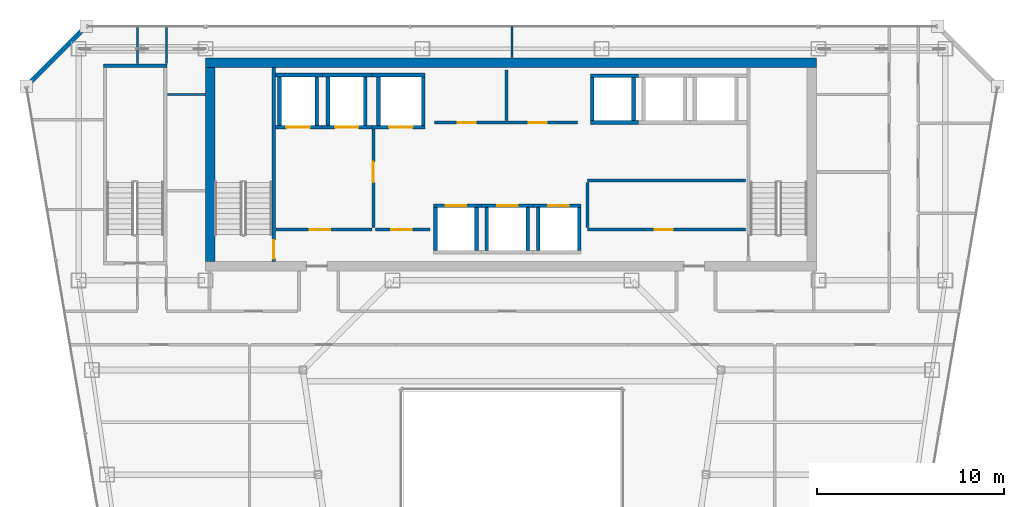
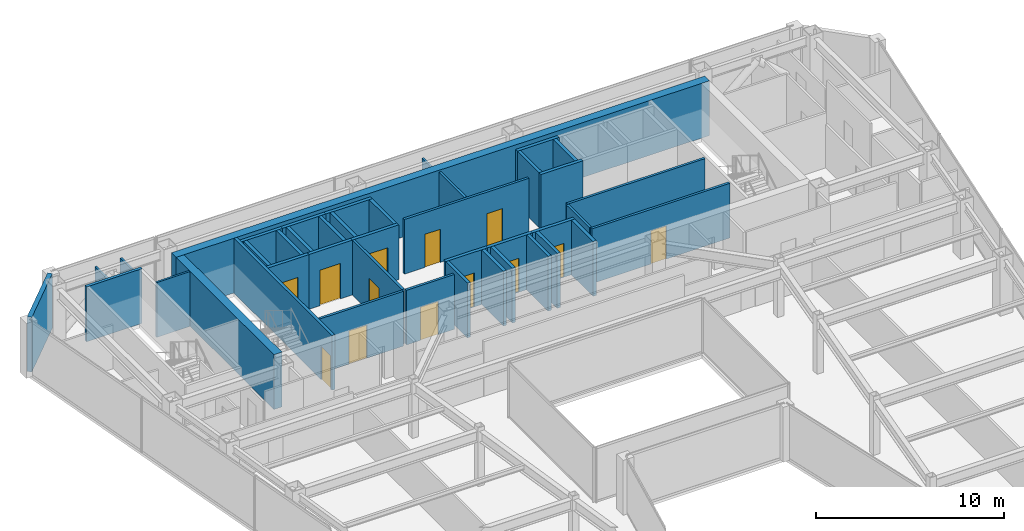
# One storey, part 31 of 35: 42 walls, 13 doors, 13 openings.
"""IFC4 building model written with IfcOpenShell, lengths in metres."""

import ifcopenshell
import ifcopenshell.guid

model = None  # the IFC model being written
_history = None  # IfcOwnerHistory: only IFC2X3 demands one
_inside = {}  # id of a spatial element -> (the spatial element, [elements in it])
_under = {}  # id of a project, library or spatial element -> (it, [spatial elements below it])
_declared = {}  # id of a project -> (the project, [libraries it declares])
_typed = {}  # id of a type object -> (the type object, [elements of that type])
_made_of = {}  # id of a material, layer set ... -> (it, [elements and type objects made of it])


def new_model(schema):
    """Start an empty IFC model of exactly this schema.

    Asked for "IFC4X3", IfcOpenShell would pick the latest addendum, in which some entities
    have other attributes; the version numbers below select the first issue.
    IFC2X3 requires an IfcOwnerHistory on every rooted entity: one is made here for all.
    """
    global model, _history
    if schema == "IFC4X3":
        model = ifcopenshell.file(schema_version=(4, 3, 0, 0))
    else:
        model = ifcopenshell.file(schema=schema)
    _inside.clear()
    _under.clear()
    _declared.clear()
    _typed.clear()
    _made_of.clear()
    _history = None
    if model.schema == "IFC2X3":
        org = make("IfcOrganization", Name="unknown")
        user = make(
            "IfcPersonAndOrganization",
            ThePerson=make("IfcPerson", FamilyName="unknown"),
            TheOrganization=org,
        )
        app = make(
            "IfcApplication",
            ApplicationDeveloper=org,
            Version="unknown",
            ApplicationFullName="unknown",
            ApplicationIdentifier="unknown",
        )
        _history = make(
            "IfcOwnerHistory",
            OwningUser=user,
            OwningApplication=app,
            ChangeAction="ADDED",
            CreationDate=0,
        )
    return model


def make(cls, **values):
    """One entity of the class cls with the attributes given. An attribute that is None is left unset."""
    return model.create_entity(
        cls, **{name: value for name, value in values.items() if value is not None}
    )


def rooted(cls, **values):
    """An entity with a GlobalId (a new one), such as an element, a storey or a relation."""
    return make(cls, GlobalId=ifcopenshell.guid.new(), OwnerHistory=_history, **values)


def si_unit(unit_type, name, prefix=None):
    """IfcSIUnit, for example si_unit("LENGTHUNIT", "METRE", prefix="MILLI")."""
    return make("IfcSIUnit", UnitType=unit_type, Prefix=prefix, Name=name)


def assignment(units):
    """IfcUnitAssignment: the units of a project."""
    return None if units is None else make("IfcUnitAssignment", Units=units)


def point(xyz):
    """IfcCartesianPoint."""
    return None if xyz is None else make("IfcCartesianPoint", Coordinates=xyz)


def direction(xyz):
    """IfcDirection."""
    return None if xyz is None else make("IfcDirection", DirectionRatios=xyz)


def frame(location, z_axis=None, x_axis=None):
    """IfcAxis2Placement3D, a coordinate frame: its origin and axes. An axis left out is left unset."""
    return make(
        "IfcAxis2Placement3D",
        Location=point(location),
        Axis=direction(z_axis),
        RefDirection=direction(x_axis),
    )


def frame_2d(location, x_axis=None):
    """IfcAxis2Placement2D, a coordinate frame in the plane: its origin and x axis."""
    return make(
        "IfcAxis2Placement2D", Location=point(location), RefDirection=direction(x_axis)
    )


def origin():
    """The frame at (0, 0, 0) with its axes left unset."""
    return frame((0.0, 0.0, 0.0))


def place(relative_to, where):
    """IfcLocalPlacement: puts the frame where relative to a parent placement (None: the world)."""
    return make(
        "IfcLocalPlacement", PlacementRelTo=relative_to, RelativePlacement=where
    )


def context(
    kind, dimensions, precision=None, world=None, true_north=None, identifier=None
):
    """IfcGeometricRepresentationContext, for example the 3D "Model" context."""
    return make(
        "IfcGeometricRepresentationContext",
        ContextIdentifier=identifier,
        ContextType=kind,
        CoordinateSpaceDimension=dimensions,
        Precision=precision,
        WorldCoordinateSystem=world,
        TrueNorth=true_north,
    )


def subcontext(parent, identifier, kind, view, scale=None):
    """IfcGeometricRepresentationSubContext, for example "Body" below "Model"."""
    return make(
        "IfcGeometricRepresentationSubContext",
        ContextIdentifier=identifier,
        ContextType=kind,
        ParentContext=parent,
        TargetScale=scale,
        TargetView=view,
    )


def project(units=None, contexts=None):
    """IfcProject with its units and contexts."""
    return rooted(
        "IfcProject",
        Name="project",
        RepresentationContexts=contexts,
        UnitsInContext=assignment(units),
    )


def spatial(cls, under=None, at=None, **own):
    """A site, building, storey or space (cls), placed at a placement, below another one or the project."""
    s = rooted(cls, ObjectPlacement=at, **own)
    if under is not None:
        _under.setdefault(under.id(), (under, []))[1].append(s)
    return s


def profile(cls, at=None, kind="AREA", **sizes):
    """A parametric profile (cls). Its sizes go by their IFC names, for example OverallWidth=200.0."""
    return make(cls, ProfileType=kind, Position=at, **sizes)


def rectangle(**sizes):
    """IfcRectangleProfileDef."""
    return profile("IfcRectangleProfileDef", **sizes)


def extrude(swept, where, along, depth):
    """IfcExtrudedAreaSolid: the profile swept, set in the frame where, extruded along a direction by depth."""
    return make(
        "IfcExtrudedAreaSolid",
        SweptArea=swept,
        Position=where,
        ExtrudedDirection=direction(along),
        Depth=depth,
    )


def shape(context_of_items, identifier, shape_type, items):
    """IfcShapeRepresentation: the items that make up one representation, for example the "Body"."""
    return make(
        "IfcShapeRepresentation",
        ContextOfItems=context_of_items,
        RepresentationIdentifier=identifier,
        RepresentationType=shape_type,
        Items=items,
    )


def material(Name=None, Category=None):
    """IfcMaterial."""
    return make("IfcMaterial", Name=Name, Category=Category)


def layer(
    of_material, thickness, ventilated=None, Name=None, Category=None, Priority=None
):
    """IfcMaterialLayer: one layer of a wall or slab, of a material (None: an air gap)."""
    return make(
        "IfcMaterialLayer",
        Material=of_material,
        LayerThickness=thickness,
        IsVentilated=ventilated,
        Name=Name,
        Category=Category,
        Priority=Priority,
    )


def layer_set(layers, Name=None):
    """IfcMaterialLayerSet."""
    return make("IfcMaterialLayerSet", MaterialLayers=layers, LayerSetName=Name)


def made_of(thing, what):
    """Note that an element or type object is made of a material, layer set ...; save() writes the relation."""
    if what is not None:
        _made_of.setdefault(what.id(), (what, []))[1].append(thing)
    return thing


def type_object(cls, material=None, **own):
    """A type object (cls), such as IfcWallType, which elements share."""
    return made_of(rooted(cls, **own), material)


def element(
    cls,
    number,
    at=None,
    inside=None,
    cuts=None,
    type_object=None,
    material=None,
    context=None,
    identifier="Body",
    shape_type=None,
    held_by="IfcProductDefinitionShape",
    body=None,
    shapes=None,
    **own,
):
    """One element of the class cls, such as IfcWall. Its Tag is "e" and its number.

    at: its placement. inside: the storey or other place that contains it. cuts: it is an
    opening in that element (IfcRelVoidsElement). A single representation is given by context,
    identifier, shape_type and body (its items); several are given by shapes. held_by: the class
    of the entity that holds the representations. save() writes the other relations.
    """
    e = rooted(cls, Tag="e%d" % number, ObjectPlacement=at, **own)
    if body is not None:
        shapes = [shape(context, identifier, shape_type, body)]
    if shapes is not None:
        e.Representation = make(held_by, Representations=shapes)
    if inside is not None:
        _inside.setdefault(inside.id(), (inside, []))[1].append(e)
    if cuts is not None:
        rooted(
            "IfcRelVoidsElement", RelatingBuildingElement=cuts, RelatedOpeningElement=e
        )
    if type_object is not None:
        _typed.setdefault(type_object.id(), (type_object, []))[1].append(e)
    return made_of(e, material)


def fill(opening, filler):
    """IfcRelFillsElement: the door or window that sits in an opening."""
    return rooted(
        "IfcRelFillsElement",
        RelatingOpeningElement=opening,
        RelatedBuildingElement=filler,
    )


def aggregate(whole, parts):
    """IfcRelAggregates: a whole, such as a stair, and the parts it consists of."""
    return rooted("IfcRelAggregates", RelatingObject=whole, RelatedObjects=parts)


def save(model, path):
    """Write the relations noted so far, then the file.

    IfcRelAggregates (storeys below a building ...), IfcRelContainedInSpatialStructure (elements
    in a storey), IfcRelDefinesByType, IfcRelAssociatesMaterial and IfcRelDeclares: one each for
    every whole, place, type object, material and project.
    """
    for whole, parts in _under.values():
        aggregate(whole, parts)
    for where, things in _inside.values():
        rooted(
            "IfcRelContainedInSpatialStructure",
            RelatedElements=things,
            RelatingStructure=where,
        )
    for kind, things in _typed.values():
        rooted("IfcRelDefinesByType", RelatedObjects=things, RelatingType=kind)
    for what, things in _made_of.values():
        rooted("IfcRelAssociatesMaterial", RelatedObjects=things, RelatingMaterial=what)
    for by, libraries in _declared.values():
        rooted("IfcRelDeclares", RelatingContext=by, RelatedDefinitions=libraries)
    model.write(path)


model = new_model("IFC4")

# Units and contexts
model_context = context("Model", 3, precision=1e-05, world=origin(), true_north=direction((0.0, 1.0)))
body_context = subcontext(model_context, "Body", "Model", "MODEL_VIEW")
ifc_project = project(units=[si_unit("LENGTHUNIT", "METRE"), si_unit("AREAUNIT", "SQUARE_METRE"), si_unit("VOLUMEUNIT", "CUBIC_METRE"), si_unit("PLANEANGLEUNIT", "RADIAN"), si_unit("MASSUNIT", "GRAM", prefix="KILO")], contexts=[model_context])

# Site, building, storey
site_placement = place(None, origin())
site = spatial("IfcSite", under=ifc_project, at=site_placement, CompositionType="ELEMENT")
building_placement = place(site_placement, origin())
building = spatial("IfcBuilding", under=site, at=building_placement, Name="Saevonmaru Cultural Tower", CompositionType="ELEMENT")
storey_placement = place(building_placement, frame((0.0, 0.0, 213.199951171875)))
storey = spatial("IfcBuildingStorey", under=building, at=storey_placement, Name="L49", CompositionType="ELEMENT", Elevation=213.199951171875)

# Walls
ifc_material_1 = material(Name="Concrete C60/75", Category="concrete")
ifc_layer_1 = layer(ifc_material_1, 0.5, Name="Concrete C60/75")
ifc_layer_set_1 = layer_set([ifc_layer_1], Name="Concrete C60/75")
wall_type_1 = type_object("IfcWallType", Name="WL-CORE-500", PredefinedType="SHEAR", material=ifc_layer_set_1)
wall_1_placement = place(storey_placement, frame((13.60009765625, 54.050048828125, 0.0), z_axis=(0.0, 0.0, 1.0), x_axis=(1.0, 0.0, 0.0)))
element("IfcWall", 1, at=wall_1_placement, inside=storey, type_object=wall_type_1, Name="L49 Tower RC core shear wall N", PredefinedType="SHEAR", context=body_context, shape_type="SweptSolid", body=[
    extrude(rectangle(XDim=32.699951171875, YDim=0.5, at=frame_2d((16.35009765625, 0.0))), origin(), (0.0, 0.0, 1.0), 3.550048828125),
])
wall_2_placement = place(storey_placement, frame((13.85009765625, 43.39990234375, 0.0), z_axis=(0.0, 0.0, 1.0), x_axis=(0.0, 1.0, 0.0)))
element("IfcWall", 2, at=wall_2_placement, inside=storey, type_object=wall_type_1, Name="L49 Tower RC core shear wall W", PredefinedType="SHEAR", context=body_context, shape_type="SweptSolid", body=[
    extrude(rectangle(XDim=10.400146484375, YDim=0.5, at=frame_2d((5.2001953125, 0.0))), origin(), (0.0, 0.0, 1.0), 3.550048828125),
])

# Wall, opening, door
ifc_material_2 = material(Name="Gypsum Fireboard Partition", Category="gypsum")
ifc_layer_2 = layer(ifc_material_2, 0.14990234375, Name="Gypsum Fireboard Partition")
ifc_layer_set_2 = layer_set([ifc_layer_2], Name="Gypsum Fireboard Partition")
wall_type_2 = type_object("IfcWallType", Name="WL-CORE-PART-150", PredefinedType="PARTITIONING", material=ifc_layer_set_2)
wall_3_placement = place(storey_placement, frame((17.360107421875, 45.1201171875, 0.0), z_axis=(0.0, 0.0, 1.0), x_axis=(1.0, 0.0, 0.0)))
wall_3 = element("IfcWall", 3, at=wall_3_placement, inside=storey, type_object=wall_type_2, Name="L49 Firefighting Lift Lobby South Wall", PredefinedType="PARTITIONING", context=body_context, shape_type="SweptSolid", body=[
    extrude(rectangle(XDim=5.139892578125, YDim=0.14990234375, at=frame_2d((2.56982421875, 0.0))), origin(), (0.0, 0.0, 1.0), 3.550048828125),
])
opening_1_placement = place(wall_3_placement, frame((1.800048828125, 0.0, 0.0)))
opening_1 = element("IfcOpeningElement", 4, at=opening_1_placement, cuts=wall_3, Name="Opening FD-2", PredefinedType="OPENING", context=body_context, shape_type="SweptSolid", body=[
    extrude(rectangle(XDim=1.10009765625, YDim=2.14990234375, at=frame_2d((0.550048828125, 1.074951171875))), frame((0.0, 0.0849609375, 0.0), z_axis=(0.0, -1.0, 0.0), x_axis=(1.0, 0.0, 0.0)), (0.0, 0.0, 1.0), 0.169921875),
])
ifc_material_3 = material(Name="Satin Bronze Anodised Aluminium", Category="aluminium")
door_type_1 = type_object("IfcDoorType", Name="DR-FD60-1100", OperationType="SINGLE_SWING_LEFT", PredefinedType="DOOR", material=ifc_material_3)
door_1_placement = place(opening_1_placement, origin())
door_1 = element("IfcDoor", 5, at=door_1_placement, inside=storey, type_object=door_type_1, Name="L49 Firefighting Lift Lobby South Door", OperationType="SINGLE_SWING_LEFT", OverallHeight=2.14990234375, OverallWidth=1.10009765625, PredefinedType="DOOR", context=body_context, shape_type="SweptSolid", body=[
    extrude(rectangle(XDim=1.10009765625, YDim=2.14990234375, at=frame_2d((0.550048828125, 1.074951171875))), frame((0.0, 0.02490234375, 0.0), z_axis=(0.0, -1.0, 0.0), x_axis=(1.0, 0.0, 0.0)), (0.0, 0.0, 1.0), 0.050048828125),
])
fill(opening_1, door_1)

wall_4_placement = place(storey_placement, frame((22.580078125, 50.550048828125, 0.0), z_axis=(0.0, 0.0, 1.0), x_axis=(0.0, -1.0, 0.0)))
wall_4 = element("IfcWall", 6, at=wall_4_placement, inside=storey, type_object=wall_type_2, Name="L49 Firefighting Lift Lobby East Wall", PredefinedType="PARTITIONING", context=body_context, shape_type="SweptSolid", body=[
    extrude(rectangle(XDim=5.330078125, YDim=0.14990234375, at=frame_2d((2.6650390625, 0.0))), origin(), (0.0, 0.0, 1.0), 3.550048828125),
])
opening_2_placement = place(wall_4_placement, frame((1.800048828125, 0.0, 0.0)))
opening_2 = element("IfcOpeningElement", 7, at=opening_2_placement, cuts=wall_4, Name="Opening FD-2", PredefinedType="OPENING", context=body_context, shape_type="SweptSolid", body=[
    extrude(rectangle(XDim=1.10009765625, YDim=2.14990234375, at=frame_2d((0.550048828125, 1.074951171875))), frame((0.0, 0.0849609375, 0.0), z_axis=(0.0, -1.0, 0.0), x_axis=(1.0, 0.0, 0.0)), (0.0, 0.0, 1.0), 0.169921875),
])
door_2_placement = place(opening_2_placement, origin())
door_2 = element("IfcDoor", 8, at=door_2_placement, inside=storey, type_object=door_type_1, Name="L49 Firefighting Lift Lobby East Door", OperationType="SINGLE_SWING_LEFT", OverallHeight=2.14990234375, OverallWidth=1.10009765625, PredefinedType="DOOR", context=body_context, shape_type="SweptSolid", body=[
    extrude(rectangle(XDim=1.10009765625, YDim=2.14990234375, at=frame_2d((0.550048828125, 1.074951171875))), frame((0.0, 0.02490234375, 0.0), z_axis=(0.0, -1.0, 0.0), x_axis=(1.0, 0.0, 0.0)), (0.0, 0.0, 1.0), 0.050048828125),
])
fill(opening_2, door_2)

wall_5_placement = place(storey_placement, frame((22.679931640625, 45.1201171875, 0.0), z_axis=(0.0, 0.0, 1.0), x_axis=(1.0, 0.0, 0.0)))
wall_5 = element("IfcWall", 9, at=wall_5_placement, inside=storey, type_object=wall_type_2, Name="L49 Service Lift Vestibule Wall", PredefinedType="PARTITIONING", context=body_context, shape_type="SweptSolid", body=[
    extrude(rectangle(XDim=2.920166015625, YDim=0.14990234375, at=frame_2d((1.4599609375, 0.0))), origin(), (0.0, 0.0, 1.0), 3.550048828125),
])
opening_3_placement = place(wall_5_placement, frame((0.85009765625, 0.0, 0.0)))
opening_3 = element("IfcOpeningElement", 10, at=opening_3_placement, cuts=wall_5, Name="Opening FD-2", PredefinedType="OPENING", context=body_context, shape_type="SweptSolid", body=[
    extrude(rectangle(XDim=1.10009765625, YDim=2.14990234375, at=frame_2d((0.550048828125, 1.074951171875))), frame((0.0, 0.0849609375, 0.0), z_axis=(0.0, -1.0, 0.0), x_axis=(1.0, 0.0, 0.0)), (0.0, 0.0, 1.0), 0.169921875),
])
door_3_placement = place(opening_3_placement, origin())
door_3 = element("IfcDoor", 11, at=door_3_placement, inside=storey, type_object=door_type_1, Name="L49 Service Lift Vestibule Door", OperationType="SINGLE_SWING_LEFT", OverallHeight=2.14990234375, OverallWidth=1.10009765625, PredefinedType="DOOR", context=body_context, shape_type="SweptSolid", body=[
    extrude(rectangle(XDim=1.10009765625, YDim=2.14990234375, at=frame_2d((0.550048828125, 1.074951171875))), frame((0.0, 0.02490234375, 0.0), z_axis=(0.0, -1.0, 0.0), x_axis=(1.0, 0.0, 0.0)), (0.0, 0.0, 1.0), 0.050048828125),
])
fill(opening_3, door_3)

wall_6_placement = place(storey_placement, frame((34.050048828125, 45.1201171875, 0.0), z_axis=(0.0, 0.0, 1.0), x_axis=(1.0, 0.0, 0.0)))
wall_6 = element("IfcWall", 12, at=wall_6_placement, inside=storey, type_object=wall_type_2, Name="L49 Core Service South Wall", PredefinedType="PARTITIONING", context=body_context, shape_type="SweptSolid", body=[
    extrude(rectangle(XDim=8.449951171875, YDim=0.14990234375, at=frame_2d((4.22509765625, 0.0))), origin(), (0.0, 0.0, 1.0), 3.550048828125),
])
opening_4_placement = place(wall_6_placement, frame((3.60009765625, 0.0, 0.0)))
opening_4 = element("IfcOpeningElement", 13, at=opening_4_placement, cuts=wall_6, Name="Opening FD-4", PredefinedType="OPENING", context=body_context, shape_type="SweptSolid", body=[
    extrude(rectangle(XDim=0.949951171875, YDim=2.14990234375, at=frame_2d((0.47509765625, 1.074951171875))), frame((0.0, 0.0849609375, 0.0), z_axis=(0.0, -1.0, 0.0), x_axis=(1.0, 0.0, 0.0)), (0.0, 0.0, 1.0), 0.169921875),
])
door_type_2 = type_object("IfcDoorType", Name="DR-FD60-950", OperationType="SINGLE_SWING_LEFT", PredefinedType="DOOR", material=ifc_material_3)
door_4_placement = place(opening_4_placement, origin())
door_4 = element("IfcDoor", 14, at=door_4_placement, inside=storey, type_object=door_type_2, Name="L49 Telecom Riser Plant Door", OperationType="SINGLE_SWING_LEFT", OverallHeight=2.14990234375, OverallWidth=0.949951171875, PredefinedType="DOOR", context=body_context, shape_type="SweptSolid", body=[
    extrude(rectangle(XDim=0.949951171875, YDim=2.14990234375, at=frame_2d((0.47509765625, 1.074951171875))), frame((0.0, 0.02490234375, 0.0), z_axis=(0.0, -1.0, 0.0), x_axis=(1.0, 0.0, 0.0)), (0.0, 0.0, 1.0), 0.050048828125),
])
fill(opening_4, door_4)

# Walls
wall_7_placement = place(storey_placement, frame((34.050048828125, 47.75, 0.0), z_axis=(0.0, 0.0, 1.0), x_axis=(1.0, 0.0, 0.0)))
element("IfcWall", 15, at=wall_7_placement, inside=storey, type_object=wall_type_2, Name="L49 Core Service North Wall", PredefinedType="PARTITIONING", context=body_context, shape_type="SweptSolid", body=[
    extrude(rectangle(XDim=8.449951171875, YDim=0.14990234375, at=frame_2d((4.22509765625, 0.0))), origin(), (0.0, 0.0, 1.0), 3.550048828125),
])
wall_8_placement = place(storey_placement, frame((34.050048828125, 45.219970703125, 0.0), z_axis=(0.0, 0.0, 1.0), x_axis=(0.0, 1.0, 0.0)))
element("IfcWall", 16, at=wall_8_placement, inside=storey, type_object=wall_type_2, Name="L49 Core Service West Wall", PredefinedType="PARTITIONING", context=body_context, shape_type="SweptSolid", body=[
    extrude(rectangle(XDim=2.429931640625, YDim=0.14990234375, at=frame_2d((1.21484375, 0.0))), origin(), (0.0, 0.0, 1.0), 3.550048828125),
])

# Wall, openings, doors
wall_9_placement = place(storey_placement, frame((25.85009765625, 50.85009765625, 0.0), z_axis=(0.0, 0.0, 1.0), x_axis=(1.0, 0.0, 0.0)))
wall_9 = element("IfcWall", 17, at=wall_9_placement, inside=storey, type_object=wall_type_2, Name="L49 Reclaimed Core Room South Wall", PredefinedType="PARTITIONING", context=body_context, shape_type="SweptSolid", body=[
    extrude(rectangle(XDim=7.64990234375, YDim=0.14990234375, at=frame_2d((3.824951171875, 0.0))), origin(), (0.0, 0.0, 1.0), 3.550048828125),
])
opening_5_placement = place(wall_9_placement, frame((1.25, 0.0, 0.0)))
opening_5 = element("IfcOpeningElement", 18, at=opening_5_placement, cuts=wall_9, Name="Opening FD-4", PredefinedType="OPENING", context=body_context, shape_type="SweptSolid", body=[
    extrude(rectangle(XDim=0.949951171875, YDim=2.14990234375, at=frame_2d((0.47509765625, 1.074951171875))), frame((0.0, 0.0849609375, 0.0), z_axis=(0.0, -1.0, 0.0), x_axis=(1.0, 0.0, 0.0)), (0.0, 0.0, 1.0), 0.169921875),
])
opening_6_placement = place(wall_9_placement, frame((5.050048828125, 0.0, 0.0)))
opening_6 = element("IfcOpeningElement", 19, at=opening_6_placement, cuts=wall_9, Name="Opening FD-4", PredefinedType="OPENING", context=body_context, shape_type="SweptSolid", body=[
    extrude(rectangle(XDim=0.949951171875, YDim=2.14990234375, at=frame_2d((0.47509765625, 1.074951171875))), frame((0.0, 0.0849609375, 0.0), z_axis=(0.0, -1.0, 0.0), x_axis=(1.0, 0.0, 0.0)), (0.0, 0.0, 1.0), 0.169921875),
])
door_5_placement = place(opening_5_placement, origin())
door_5 = element("IfcDoor", 20, at=door_5_placement, inside=storey, type_object=door_type_2, Name="L49 Reclaimed Archive Vault Door", OperationType="SINGLE_SWING_LEFT", OverallHeight=2.14990234375, OverallWidth=0.949951171875, PredefinedType="DOOR", context=body_context, shape_type="SweptSolid", body=[
    extrude(rectangle(XDim=0.949951171875, YDim=2.14990234375, at=frame_2d((0.47509765625, 1.074951171875))), frame((0.0, 0.02490234375, 0.0), z_axis=(0.0, -1.0, 0.0), x_axis=(1.0, 0.0, 0.0)), (0.0, 0.0, 1.0), 0.050048828125),
])
fill(opening_5, door_5)
door_6_placement = place(opening_6_placement, origin())
door_6 = element("IfcDoor", 21, at=door_6_placement, inside=storey, type_object=door_type_2, Name="L49 Reclaimed Conservation Storage Door", OperationType="SINGLE_SWING_LEFT", OverallHeight=2.14990234375, OverallWidth=0.949951171875, PredefinedType="DOOR", context=body_context, shape_type="SweptSolid", body=[
    extrude(rectangle(XDim=0.949951171875, YDim=2.14990234375, at=frame_2d((0.47509765625, 1.074951171875))), frame((0.0, 0.02490234375, 0.0), z_axis=(0.0, -1.0, 0.0), x_axis=(1.0, 0.0, 0.0)), (0.0, 0.0, 1.0), 0.050048828125),
])
fill(opening_6, door_6)

# Walls
wall_10_placement = place(storey_placement, frame((29.699951171875, 50.949951171875, 0.0), z_axis=(0.0, 0.0, 1.0), x_axis=(0.0, 1.0, 0.0)))
element("IfcWall", 22, at=wall_10_placement, inside=storey, type_object=wall_type_2, Name="L49 Reclaimed Vault Split", PredefinedType="PARTITIONING", context=body_context, shape_type="SweptSolid", body=[
    extrude(rectangle(XDim=2.699951171875, YDim=0.14990234375, at=frame_2d((1.35009765625, 0.0))), origin(), (0.0, 0.0, 1.0), 3.550048828125),
])
ifc_material_4 = material(Name="Granite-Clad Precast Concrete C40/50", Category="masonry")
ifc_layer_3 = layer(ifc_material_4, 0.260009765625, Name="Granite-Clad Precast Concrete C40/50")
ifc_layer_set_3 = layer_set([ifc_layer_3], Name="Granite-Clad Precast Concrete C40/50")
wall_type_3 = type_object("IfcWallType", Name="WL-EXT-SPANDREL-260", PredefinedType="STANDARD", material=ifc_layer_set_3)
wall_11_placement = place(storey_placement, frame((7.0869140625, 55.886962890625, 0.0), z_axis=(0.0, 0.0, 1.0), x_axis=(-0.707106781187, -0.707106781187, 0.0)))
element("IfcWall", 23, at=wall_11_placement, inside=storey, type_object=wall_type_3, Name="L49 Chamfer Corner Spandrel Wall E11", PredefinedType="STANDARD", context=body_context, shape_type="SweptSolid", body=[
    extrude(rectangle(XDim=4.205810546875, YDim=0.260009765625, at=frame_2d((2.10302734375, 0.0))), origin(), (0.0, 0.0, 1.0), 3.550048828125),
])
ifc_layer_4 = layer(ifc_material_2, 0.1201171875, Name="Gypsum Fireboard Partition")
ifc_layer_set_4 = layer_set([ifc_layer_4], Name="Gypsum Fireboard Partition")
wall_type_4 = type_object("IfcWallType", Name="WL-PART-GYP-120", PredefinedType="PARTITIONING", material=ifc_layer_set_4)
wall_12_placement = place(storey_placement, frame((11.550048828125, 52.35009765625, 0.0), z_axis=(0.0, 0.0, 1.0), x_axis=(1.0, 0.0, 0.0)))
element("IfcWall", 24, at=wall_12_placement, inside=storey, type_object=wall_type_4, Name="L49 North-West Panorama South Wall", PredefinedType="PARTITIONING", context=body_context, shape_type="SweptSolid", body=[
    extrude(rectangle(XDim=2.030029296875, YDim=0.1201171875, at=frame_2d((1.01513671875, 0.0))), origin(), (0.0, 0.0, 1.0), 3.550048828125),
])
wall_13_placement = place(storey_placement, frame((30.0, 54.320068359375, 0.0), z_axis=(0.0, 0.0, 1.0), x_axis=(0.0, 1.0, 0.0)))
element("IfcWall", 25, at=wall_13_placement, inside=storey, type_object=wall_type_4, Name="L49 North Panorama Center Split", PredefinedType="PARTITIONING", context=body_context, shape_type="SweptSolid", body=[
    extrude(rectangle(XDim=1.675048828125, YDim=0.1201171875, at=frame_2d((0.83740234375, 0.0))), origin(), (0.0, 0.0, 1.0), 2.93505859375),
])
for number, where, z_axis, x_axis, name in (
    (26, (11.5, 54.0, 0.0), (0.0, 0.0, 1.0), (0.0, 1.0, 0.0), "L49 Typography Design Classroom Corridor Wall"),
    (27, (9.949951171875, 54.0, 0.0), (0.0, 0.0, 1.0), (0.0, 1.0, 0.0), "L49 Typography Design Classroom Corridor Wall"),
):
    element("IfcWall", number, at=place(storey_placement, frame(where, z_axis=z_axis, x_axis=x_axis)), inside=storey, type_object=wall_type_4, Name=name, PredefinedType="PARTITIONING", context=body_context, shape_type="SweptSolid", body=[
        extrude(rectangle(XDim=1.9951171875, YDim=0.1201171875, at=frame_2d((0.99755859375, 0.0))), origin(), (0.0, 0.0, 1.0), 2.93505859375),
    ])

# Wall, opening, door
ifc_material_5 = material(Name="Concrete C40/50", Category="concrete")
ifc_layer_5 = layer(ifc_material_5, 0.199951171875, Name="Concrete C40/50")
ifc_layer_set_5 = layer_set([ifc_layer_5], Name="Concrete C40/50")
wall_type_5 = type_object("IfcWallType", Name="WL-SHAFT-200", PredefinedType="SHEAR", material=ifc_layer_set_5)
wall_14_placement = place(storey_placement, frame((17.330078125, 50.60009765625, 0.0), z_axis=(0.0, 0.0, 1.0), x_axis=(1.0, 0.0, 0.0)))
wall_14 = element("IfcWall", 28, at=wall_14_placement, inside=storey, type_object=wall_type_5, Name="L49 Lift FFL-1 Hoistway Wall S", PredefinedType="SHEAR", context=body_context, shape_type="SweptSolid", body=[
    extrude(rectangle(XDim=2.52001953125, YDim=0.199951171875, at=frame_2d((1.260009765625, 0.0))), origin(), (0.0, 0.0, 1.0), 3.550048828125),
])
opening_7_placement = place(wall_14_placement, frame((0.594970703125, 0.0, 0.0)))
opening_7 = element("IfcOpeningElement", 29, at=opening_7_placement, cuts=wall_14, Name="Opening LD-2", PredefinedType="OPENING", context=body_context, shape_type="SweptSolid", body=[
    extrude(rectangle(XDim=1.25, YDim=2.300048828125, at=frame_2d((0.625, 1.14990234375))), frame((0.0, 0.10986328125, 0.0), z_axis=(0.0, -1.0, 0.0), x_axis=(1.0, 0.0, 0.0)), (0.0, 0.0, 1.0), 0.219970703125),
])
ifc_material_6 = material(Name="Stainless Steel 316", Category="steel")
door_type_3 = type_object("IfcDoorType", Name="DR-LIFT-1250", OperationType="SLIDING_TO_LEFT", PredefinedType="DOOR", material=ifc_material_6)
door_7_placement = place(opening_7_placement, origin())
door_7 = element("IfcDoor", 30, at=door_7_placement, inside=storey, type_object=door_type_3, Name="L49 Lift FFL-1 Sliding Landing Door", OperationType="SLIDING_TO_LEFT", OverallHeight=2.300048828125, OverallWidth=1.25, PredefinedType="DOOR", context=body_context, shape_type="SweptSolid", body=[
    extrude(rectangle(XDim=1.25, YDim=2.300048828125, at=frame_2d((0.625, 1.14990234375))), frame((0.0, 0.02490234375, 0.0), z_axis=(0.0, -1.0, 0.0), x_axis=(1.0, 0.0, 0.0)), (0.0, 0.0, 1.0), 0.050048828125),
])
fill(opening_7, door_7)

# Walls
wall_15_placement = place(storey_placement, frame((17.330078125, 53.39990234375, 0.0), z_axis=(0.0, 0.0, 1.0), x_axis=(1.0, 0.0, 0.0)))
element("IfcWall", 31, at=wall_15_placement, inside=storey, type_object=wall_type_5, Name="L49 Lift FFL-1 Hoistway Wall N", PredefinedType="SHEAR", context=body_context, shape_type="SweptSolid", body=[
    extrude(rectangle(XDim=2.52001953125, YDim=0.199951171875, at=frame_2d((1.260009765625, 0.0))), origin(), (0.0, 0.0, 1.0), 3.550048828125),
])
for number, where, z_axis, x_axis, name in (
    (32, (17.550048828125, 50.699951171875, 0.0), (0.0, 0.0, 1.0), (0.0, 1.0, 0.0), "L49 Lift FFL-1 Hoistway Wall W"),
    (33, (19.550048828125, 50.699951171875, 0.0), (0.0, 0.0, 1.0), (0.0, 1.0, 0.0), "L49 Lift FFL-1 Hoistway Wall E"),
):
    element("IfcWall", number, at=place(storey_placement, frame(where, z_axis=z_axis, x_axis=x_axis)), inside=storey, type_object=wall_type_5, Name=name, PredefinedType="SHEAR", context=body_context, shape_type="SweptSolid", body=[
        extrude(rectangle(XDim=2.60009765625, YDim=0.199951171875, at=frame_2d((1.300048828125, 0.0))), origin(), (0.0, 0.0, 1.0), 3.550048828125),
    ])

# Wall, opening, door
wall_16_placement = place(storey_placement, frame((19.85009765625, 50.60009765625, 0.0), z_axis=(0.0, 0.0, 1.0), x_axis=(1.0, 0.0, 0.0)))
wall_16 = element("IfcWall", 34, at=wall_16_placement, inside=storey, type_object=wall_type_5, Name="L49 Lift FFL-2 Hoistway Wall S", PredefinedType="SHEAR", context=body_context, shape_type="SweptSolid", body=[
    extrude(rectangle(XDim=2.64990234375, YDim=0.199951171875, at=frame_2d((1.324951171875, 0.0))), origin(), (0.0, 0.0, 1.0), 3.550048828125),
])
opening_8_placement = place(wall_16_placement, frame((0.675048828125, 0.0, 0.0)))
opening_8 = element("IfcOpeningElement", 35, at=opening_8_placement, cuts=wall_16, Name="Opening LD-2", PredefinedType="OPENING", context=body_context, shape_type="SweptSolid", body=[
    extrude(rectangle(XDim=1.25, YDim=2.300048828125, at=frame_2d((0.625, 1.14990234375))), frame((0.0, 0.10986328125, 0.0), z_axis=(0.0, -1.0, 0.0), x_axis=(1.0, 0.0, 0.0)), (0.0, 0.0, 1.0), 0.219970703125),
])
door_8_placement = place(opening_8_placement, origin())
door_8 = element("IfcDoor", 36, at=door_8_placement, inside=storey, type_object=door_type_3, Name="L49 Lift FFL-2 Sliding Landing Door", OperationType="SLIDING_TO_LEFT", OverallHeight=2.300048828125, OverallWidth=1.25, PredefinedType="DOOR", context=body_context, shape_type="SweptSolid", body=[
    extrude(rectangle(XDim=1.25, YDim=2.300048828125, at=frame_2d((0.625, 1.14990234375))), frame((0.0, 0.02490234375, 0.0), z_axis=(0.0, -1.0, 0.0), x_axis=(1.0, 0.0, 0.0)), (0.0, 0.0, 1.0), 0.050048828125),
])
fill(opening_8, door_8)

# Walls
wall_17_placement = place(storey_placement, frame((19.85009765625, 53.39990234375, 0.0), z_axis=(0.0, 0.0, 1.0), x_axis=(1.0, 0.0, 0.0)))
element("IfcWall", 37, at=wall_17_placement, inside=storey, type_object=wall_type_5, Name="L49 Lift FFL-2 Hoistway Wall N", PredefinedType="SHEAR", context=body_context, shape_type="SweptSolid", body=[
    extrude(rectangle(XDim=2.64990234375, YDim=0.199951171875, at=frame_2d((1.324951171875, 0.0))), origin(), (0.0, 0.0, 1.0), 3.550048828125),
])
for number, where, z_axis, x_axis, name in (
    (38, (20.14990234375, 50.699951171875, 0.0), (0.0, 0.0, 1.0), (0.0, 1.0, 0.0), "L49 Lift FFL-2 Hoistway Wall W"),
    (39, (22.14990234375, 50.699951171875, 0.0), (0.0, 0.0, 1.0), (0.0, 1.0, 0.0), "L49 Lift FFL-2 Hoistway Wall E"),
):
    element("IfcWall", number, at=place(storey_placement, frame(where, z_axis=z_axis, x_axis=x_axis)), inside=storey, type_object=wall_type_5, Name=name, PredefinedType="SHEAR", context=body_context, shape_type="SweptSolid", body=[
        extrude(rectangle(XDim=2.60009765625, YDim=0.199951171875, at=frame_2d((1.300048828125, 0.0))), origin(), (0.0, 0.0, 1.0), 3.550048828125),
    ])

# Wall, opening, door
wall_18_placement = place(storey_placement, frame((22.5, 50.60009765625, 0.0), z_axis=(0.0, 0.0, 1.0), x_axis=(1.0, 0.0, 0.0)))
wall_18 = element("IfcWall", 40, at=wall_18_placement, inside=storey, type_object=wall_type_5, Name="L49 Lift GL-1 Hoistway Wall S", PredefinedType="SHEAR", context=body_context, shape_type="SweptSolid", body=[
    extrude(rectangle(XDim=2.85009765625, YDim=0.199951171875, at=frame_2d((1.425048828125, 0.0))), origin(), (0.0, 0.0, 1.0), 3.550048828125),
])
opening_9_placement = place(wall_18_placement, frame((0.925048828125, 0.0, 0.0)))
opening_9 = element("IfcOpeningElement", 41, at=opening_9_placement, cuts=wall_18, Name="Opening LD-2", PredefinedType="OPENING", context=body_context, shape_type="SweptSolid", body=[
    extrude(rectangle(XDim=1.25, YDim=2.300048828125, at=frame_2d((0.625, 1.14990234375))), frame((0.0, 0.10986328125, 0.0), z_axis=(0.0, -1.0, 0.0), x_axis=(1.0, 0.0, 0.0)), (0.0, 0.0, 1.0), 0.219970703125),
])
door_9_placement = place(opening_9_placement, origin())
door_9 = element("IfcDoor", 42, at=door_9_placement, inside=storey, type_object=door_type_3, Name="L49 Lift GL-1 Sliding Landing Door", OperationType="SLIDING_TO_LEFT", OverallHeight=2.300048828125, OverallWidth=1.25, PredefinedType="DOOR", context=body_context, shape_type="SweptSolid", body=[
    extrude(rectangle(XDim=1.25, YDim=2.300048828125, at=frame_2d((0.625, 1.14990234375))), frame((0.0, 0.02490234375, 0.0), z_axis=(0.0, -1.0, 0.0), x_axis=(1.0, 0.0, 0.0)), (0.0, 0.0, 1.0), 0.050048828125),
])
fill(opening_9, door_9)

# Walls
wall_19_placement = place(storey_placement, frame((22.5, 53.39990234375, 0.0), z_axis=(0.0, 0.0, 1.0), x_axis=(1.0, 0.0, 0.0)))
element("IfcWall", 43, at=wall_19_placement, inside=storey, type_object=wall_type_5, Name="L49 Lift GL-1 Hoistway Wall N", PredefinedType="SHEAR", context=body_context, shape_type="SweptSolid", body=[
    extrude(rectangle(XDim=2.85009765625, YDim=0.199951171875, at=frame_2d((1.425048828125, 0.0))), origin(), (0.0, 0.0, 1.0), 3.550048828125),
])
for number, where, z_axis, x_axis, name in (
    (44, (22.85009765625, 50.699951171875, 0.0), (0.0, 0.0, 1.0), (0.0, 1.0, 0.0), "L49 Lift GL-1 Hoistway Wall W"),
    (45, (25.25, 50.699951171875, 0.0), (0.0, 0.0, 1.0), (0.0, 1.0, 0.0), "L49 Lift GL-1 Hoistway Wall E"),
):
    element("IfcWall", number, at=place(storey_placement, frame(where, z_axis=z_axis, x_axis=x_axis)), inside=storey, type_object=wall_type_5, Name=name, PredefinedType="SHEAR", context=body_context, shape_type="SweptSolid", body=[
        extrude(rectangle(XDim=2.60009765625, YDim=0.199951171875, at=frame_2d((1.300048828125, 0.0))), origin(), (0.0, 0.0, 1.0), 3.550048828125),
    ])

# Wall, opening, door
wall_20_placement = place(storey_placement, frame((25.800048828125, 46.39990234375, 0.0), z_axis=(0.0, 0.0, 1.0), x_axis=(1.0, 0.0, 0.0)))
wall_20 = element("IfcWall", 46, at=wall_20_placement, inside=storey, type_object=wall_type_5, Name="L49 Lift PL-M1 Hoistway Wall N", PredefinedType="SHEAR", context=body_context, shape_type="SweptSolid", body=[
    extrude(rectangle(XDim=2.574951171875, YDim=0.199951171875, at=frame_2d((1.28759765625, 0.0))), origin(), (0.0, 0.0, 1.0), 3.550048828125),
])
opening_10_placement = place(wall_20_placement, frame((0.64990234375, 0.0, 0.0)))
opening_10 = element("IfcOpeningElement", 47, at=opening_10_placement, cuts=wall_20, Name="Opening LD-1", PredefinedType="OPENING", context=body_context, shape_type="SweptSolid", body=[
    extrude(rectangle(XDim=1.10009765625, YDim=2.199951171875, at=frame_2d((0.550048828125, 1.10009765625))), frame((0.0, 0.10986328125, 0.0), z_axis=(0.0, -1.0, 0.0), x_axis=(1.0, 0.0, 0.0)), (0.0, 0.0, 1.0), 0.219970703125),
])
ifc_material_7 = material(Name="Satin Bronze Stainless Steel", Category="steel")
door_type_4 = type_object("IfcDoorType", Name="DR-LIFT-1100", OperationType="SLIDING_TO_LEFT", PredefinedType="DOOR", material=ifc_material_7)
door_10_placement = place(opening_10_placement, origin())
door_10 = element("IfcDoor", 48, at=door_10_placement, inside=storey, type_object=door_type_4, Name="L49 Lift PL-M1 Sliding Landing Door", OperationType="SLIDING_TO_LEFT", OverallHeight=2.199951171875, OverallWidth=1.10009765625, PredefinedType="DOOR", context=body_context, shape_type="SweptSolid", body=[
    extrude(rectangle(XDim=1.10009765625, YDim=2.199951171875, at=frame_2d((0.550048828125, 1.10009765625))), frame((0.0, 0.02490234375, 0.0), z_axis=(0.0, -1.0, 0.0), x_axis=(1.0, 0.0, 0.0)), (0.0, 0.0, 1.0), 0.050048828125),
])
fill(opening_10, door_10)

# Walls
for number, where, z_axis, x_axis, name in (
    (49, (25.89990234375, 44.0, 0.0), (0.0, 0.0, 1.0), (0.0, 1.0, 0.0), "L49 Lift PL-M1 Hoistway Wall W"),
    (50, (28.10009765625, 44.0, 0.0), (0.0, 0.0, 1.0), (0.0, 1.0, 0.0), "L49 Lift PL-M1 Hoistway Wall E"),
):
    element("IfcWall", number, at=place(storey_placement, frame(where, z_axis=z_axis, x_axis=x_axis)), inside=storey, type_object=wall_type_5, Name=name, PredefinedType="SHEAR", context=body_context, shape_type="SweptSolid", body=[
        extrude(rectangle(XDim=2.300048828125, YDim=0.199951171875, at=frame_2d((1.14990234375, 0.0))), origin(), (0.0, 0.0, 1.0), 3.550048828125),
    ])

# Wall, opening, door
wall_21_placement = place(storey_placement, frame((28.375, 46.39990234375, 0.0), z_axis=(0.0, 0.0, 1.0), x_axis=(1.0, 0.0, 0.0)))
wall_21 = element("IfcWall", 51, at=wall_21_placement, inside=storey, type_object=wall_type_5, Name="L49 Lift PL-M2 Hoistway Wall N", PredefinedType="SHEAR", context=body_context, shape_type="SweptSolid", body=[
    extrude(rectangle(XDim=2.75, YDim=0.199951171875, at=frame_2d((1.375, 0.0))), origin(), (0.0, 0.0, 1.0), 3.550048828125),
])
opening_11_placement = place(wall_21_placement, frame((0.824951171875, 0.0, 0.0)))
opening_11 = element("IfcOpeningElement", 52, at=opening_11_placement, cuts=wall_21, Name="Opening LD-1", PredefinedType="OPENING", context=body_context, shape_type="SweptSolid", body=[
    extrude(rectangle(XDim=1.10009765625, YDim=2.199951171875, at=frame_2d((0.550048828125, 1.10009765625))), frame((0.0, 0.10986328125, 0.0), z_axis=(0.0, -1.0, 0.0), x_axis=(1.0, 0.0, 0.0)), (0.0, 0.0, 1.0), 0.219970703125),
])
door_11_placement = place(opening_11_placement, origin())
door_11 = element("IfcDoor", 53, at=door_11_placement, inside=storey, type_object=door_type_4, Name="L49 Lift PL-M2 Sliding Landing Door", OperationType="SLIDING_TO_LEFT", OverallHeight=2.199951171875, OverallWidth=1.10009765625, PredefinedType="DOOR", context=body_context, shape_type="SweptSolid", body=[
    extrude(rectangle(XDim=1.10009765625, YDim=2.199951171875, at=frame_2d((0.550048828125, 1.10009765625))), frame((0.0, 0.02490234375, 0.0), z_axis=(0.0, -1.0, 0.0), x_axis=(1.0, 0.0, 0.0)), (0.0, 0.0, 1.0), 0.050048828125),
])
fill(opening_11, door_11)

# Walls
for number, where, z_axis, x_axis, name in (
    (54, (28.64990234375, 44.0, 0.0), (0.0, 0.0, 1.0), (0.0, 1.0, 0.0), "L49 Lift PL-M2 Hoistway Wall W"),
    (55, (30.85009765625, 44.0, 0.0), (0.0, 0.0, 1.0), (0.0, 1.0, 0.0), "L49 Lift PL-M2 Hoistway Wall E"),
):
    element("IfcWall", number, at=place(storey_placement, frame(where, z_axis=z_axis, x_axis=x_axis)), inside=storey, type_object=wall_type_5, Name=name, PredefinedType="SHEAR", context=body_context, shape_type="SweptSolid", body=[
        extrude(rectangle(XDim=2.300048828125, YDim=0.199951171875, at=frame_2d((1.14990234375, 0.0))), origin(), (0.0, 0.0, 1.0), 3.550048828125),
    ])

# Wall, opening, door
wall_22_placement = place(storey_placement, frame((31.125, 46.39990234375, 0.0), z_axis=(0.0, 0.0, 1.0), x_axis=(1.0, 0.0, 0.0)))
wall_22 = element("IfcWall", 56, at=wall_22_placement, inside=storey, type_object=wall_type_5, Name="L49 Lift PL-M3 Hoistway Wall N", PredefinedType="SHEAR", context=body_context, shape_type="SweptSolid", body=[
    extrude(rectangle(XDim=2.574951171875, YDim=0.199951171875, at=frame_2d((1.28759765625, 0.0))), origin(), (0.0, 0.0, 1.0), 3.550048828125),
])
opening_12_placement = place(wall_22_placement, frame((0.824951171875, 0.0, 0.0)))
opening_12 = element("IfcOpeningElement", 57, at=opening_12_placement, cuts=wall_22, Name="Opening LD-1", PredefinedType="OPENING", context=body_context, shape_type="SweptSolid", body=[
    extrude(rectangle(XDim=1.10009765625, YDim=2.199951171875, at=frame_2d((0.550048828125, 1.10009765625))), frame((0.0, 0.10986328125, 0.0), z_axis=(0.0, -1.0, 0.0), x_axis=(1.0, 0.0, 0.0)), (0.0, 0.0, 1.0), 0.219970703125),
])
door_12_placement = place(opening_12_placement, origin())
door_12 = element("IfcDoor", 58, at=door_12_placement, inside=storey, type_object=door_type_4, Name="L49 Lift PL-M3 Sliding Landing Door", OperationType="SLIDING_TO_LEFT", OverallHeight=2.199951171875, OverallWidth=1.10009765625, PredefinedType="DOOR", context=body_context, shape_type="SweptSolid", body=[
    extrude(rectangle(XDim=1.10009765625, YDim=2.199951171875, at=frame_2d((0.550048828125, 1.10009765625))), frame((0.0, 0.02490234375, 0.0), z_axis=(0.0, -1.0, 0.0), x_axis=(1.0, 0.0, 0.0)), (0.0, 0.0, 1.0), 0.050048828125),
])
fill(opening_12, door_12)

# Walls
for number, where, z_axis, x_axis, name in (
    (59, (31.39990234375, 44.0, 0.0), (0.0, 0.0, 1.0), (0.0, 1.0, 0.0), "L49 Lift PL-M3 Hoistway Wall W"),
    (60, (33.60009765625, 44.0, 0.0), (0.0, 0.0, 1.0), (0.0, 1.0, 0.0), "L49 Lift PL-M3 Hoistway Wall E"),
):
    element("IfcWall", number, at=place(storey_placement, frame(where, z_axis=z_axis, x_axis=x_axis)), inside=storey, type_object=wall_type_5, Name=name, PredefinedType="SHEAR", context=body_context, shape_type="SweptSolid", body=[
        extrude(rectangle(XDim=2.300048828125, YDim=0.199951171875, at=frame_2d((1.14990234375, 0.0))), origin(), (0.0, 0.0, 1.0), 3.550048828125),
    ])
for number, where, z_axis, x_axis, name in (
    (61, (34.199951171875, 50.85009765625, 0.0), (0.0, 0.0, 1.0), (1.0, 0.0, 0.0), "L49 Lift PL-H1 Hoistway Wall S"),
    (62, (34.199951171875, 53.35009765625, 0.0), (0.0, 0.0, 1.0), (1.0, 0.0, 0.0), "L49 Lift PL-H1 Hoistway Wall N"),
):
    element("IfcWall", number, at=place(storey_placement, frame(where, z_axis=z_axis, x_axis=x_axis)), inside=storey, type_object=wall_type_5, Name=name, PredefinedType="SHEAR", context=body_context, shape_type="SweptSolid", body=[
        extrude(rectangle(XDim=2.574951171875, YDim=0.199951171875, at=frame_2d((1.28759765625, 0.0))), origin(), (0.0, 0.0, 1.0), 3.550048828125),
    ])
for number, where, z_axis, x_axis, name in (
    (63, (34.300048828125, 50.949951171875, 0.0), (0.0, 0.0, 1.0), (0.0, 1.0, 0.0), "L49 Lift PL-H1 Hoistway Wall W"),
    (64, (36.5, 50.949951171875, 0.0), (0.0, 0.0, 1.0), (0.0, 1.0, 0.0), "L49 Lift PL-H1 Hoistway Wall E"),
):
    element("IfcWall", number, at=place(storey_placement, frame(where, z_axis=z_axis, x_axis=x_axis)), inside=storey, type_object=wall_type_5, Name=name, PredefinedType="SHEAR", context=body_context, shape_type="SweptSolid", body=[
        extrude(rectangle(XDim=2.300048828125, YDim=0.199951171875, at=frame_2d((1.14990234375, 0.0))), origin(), (0.0, 0.0, 1.0), 3.550048828125),
    ])

# Wall, opening, door
ifc_layer_6 = layer(ifc_material_5, 0.179931640625, Name="Concrete C40/50")
ifc_layer_set_6 = layer_set([ifc_layer_6], Name="Concrete C40/50")
wall_type_6 = type_object("IfcWallType", Name="WL-STSHAFT-180", PredefinedType="SHEAR", material=ifc_layer_set_6)
wall_23_placement = place(storey_placement, frame((17.239990234375, 43.39990234375, 0.0), z_axis=(0.0, 0.0, 1.0), x_axis=(0.0, 1.0, 0.0)))
wall_23 = element("IfcWall", 65, at=wall_23_placement, inside=storey, type_object=wall_type_6, Name="L49 Stair ST-1 Structural Shaft Wall 1", PredefinedType="SHEAR", context=body_context, shape_type="SweptSolid", body=[
    extrude(rectangle(XDim=10.400146484375, YDim=0.179931640625, at=frame_2d((5.2001953125, 0.0))), origin(), (0.0, 0.0, 1.0), 3.550048828125),
])
opening_13_placement = place(wall_23_placement, frame((0.159912109375, 0.0, 0.0)))
opening_13 = element("IfcOpeningElement", 66, at=opening_13_placement, cuts=wall_23, Name="Opening FD-3", PredefinedType="OPENING", context=body_context, shape_type="SweptSolid", body=[
    extrude(rectangle(XDim=1.0, YDim=2.14990234375, at=frame_2d((0.5, 1.074951171875))), frame((0.0, 0.10009765625, 0.0), z_axis=(0.0, -1.0, 0.0), x_axis=(1.0, 0.0, 0.0)), (0.0, 0.0, 1.0), 0.199951171875),
])
door_type_5 = type_object("IfcDoorType", Name="DR-FD60-1000", OperationType="SINGLE_SWING_RIGHT", PredefinedType="DOOR", material=ifc_material_3)
door_13_placement = place(opening_13_placement, origin())
door_13 = element("IfcDoor", 67, at=door_13_placement, inside=storey, type_object=door_type_5, Name="L49 Protected Stair ST-1 Fire Door", OperationType="SINGLE_SWING_RIGHT", OverallHeight=2.14990234375, OverallWidth=1.0, PredefinedType="DOOR", context=body_context, shape_type="SweptSolid", body=[
    extrude(rectangle(XDim=1.0, YDim=2.14990234375, at=frame_2d((0.5, 1.074951171875))), frame((0.0, 0.02490234375, 0.0), z_axis=(0.0, -1.0, 0.0), x_axis=(1.0, 0.0, 0.0)), (0.0, 0.0, 1.0), 0.050048828125),
])
fill(opening_13, door_13)

# Wall
wall_24_placement = place(storey_placement, frame((11.530029296875, 53.889892578125, 0.0), z_axis=(0.0, 0.0, 1.0), x_axis=(-1.0, 0.0, 0.0)))
element("IfcWall", 68, at=wall_24_placement, inside=storey, type_object=wall_type_6, Name="L49 Stair ST-3 Structural Shaft Wall 3", PredefinedType="SHEAR", context=body_context, shape_type="SweptSolid", body=[
    extrude(rectangle(XDim=3.409912109375, YDim=0.179931640625, at=frame_2d((1.705078125, 0.0))), origin(), (0.0, 0.0, 1.0), 3.550048828125),
])

save(model, "model.ifc")
